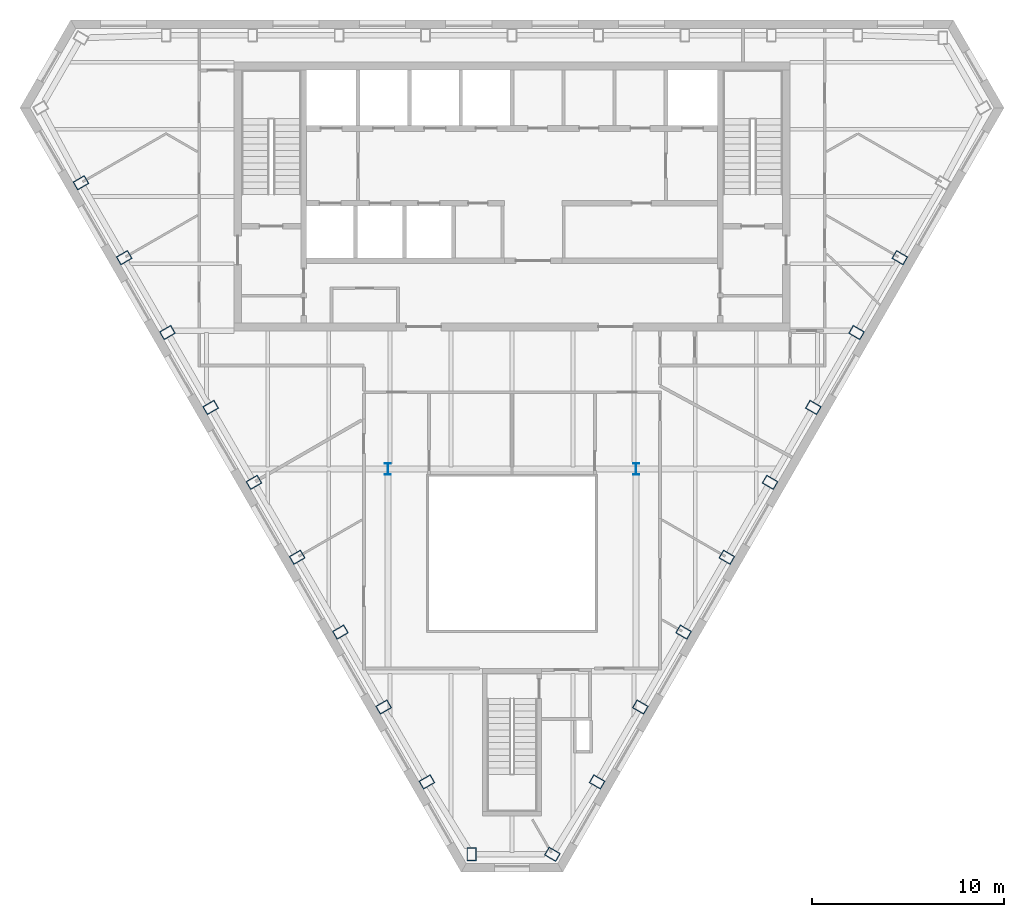
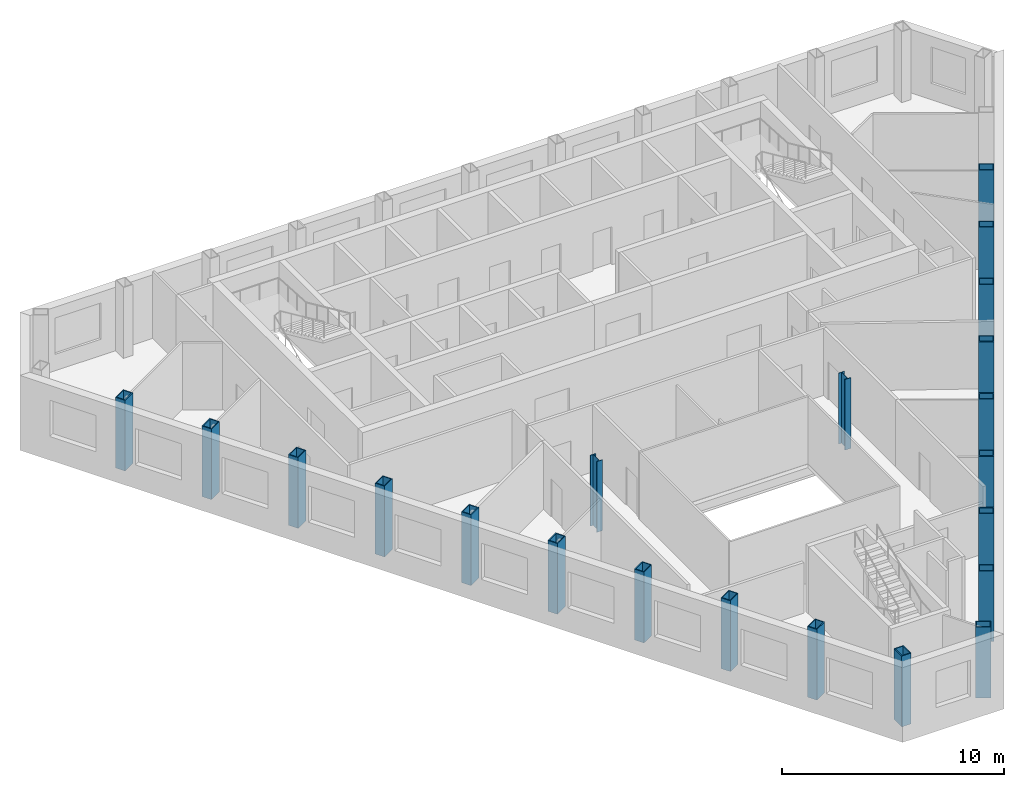
# One storey, part 1 of 10: 21 columns.
"""IFC4 building model written with IfcOpenShell, lengths in metres."""

from ifc_helpers import new_model, si_unit, direction, frame, origin, origin_2d, place, context, subcontext, project, spatial, hollow_rectangle, i_section, extrude, material, material_profile, profile_set, type_object, element, save


model = new_model("IFC4")

# Units and contexts
model_context = context("Model", 3, precision=1e-05, world=origin(), true_north=direction((0.0, 1.0)))
body_context = subcontext(model_context, "Body", "Model", "MODEL_VIEW")
ifc_project = project(units=[si_unit("LENGTHUNIT", "METRE"), si_unit("AREAUNIT", "SQUARE_METRE"), si_unit("VOLUMEUNIT", "CUBIC_METRE"), si_unit("PLANEANGLEUNIT", "RADIAN"), si_unit("MASSUNIT", "GRAM", prefix="KILO")], contexts=[model_context])

# Site, building, storey
site_placement = place(None, origin())
site = spatial("IfcSite", under=ifc_project, at=site_placement, CompositionType="ELEMENT")
building_placement = place(site_placement, origin())
building = spatial("IfcBuilding", under=site, at=building_placement, Name="Njiva Tower", CompositionType="ELEMENT")
storey_placement = place(building_placement, frame((0.0, 0.0, 288.3)))
storey = spatial("IfcBuildingStorey", under=building, at=storey_placement, Name="L66", CompositionType="ELEMENT", Elevation=288.3)

# Columns
ifc_material = material(Name="Steel S355 J2", Category="steel")
ifc_material_profile_1 = material_profile(ifc_material, hollow_rectangle(XDim=0.5, YDim=0.7, WallThickness=0.045, at=origin_2d()), Name="BOX 700x500x45")
ifc_profile_set_1 = profile_set([ifc_material_profile_1], Name="Steel S355 J2")
column_type_1 = type_object("IfcColumnType", Name="C13 Perimeter tube column BOX 700x500x45", PredefinedType="COLUMN", material=ifc_profile_set_1)
for number, where, z_axis, x_axis, name in (
    (1, (-22.467, 11.715, 0.0), (0.0, 0.0, 1.0), (0.5, -0.866025403784, 0.0), "Perimeter tube column S21-C13"),
    (2, (-20.214, 7.811, 0.0), (0.0, 0.0, 1.0), (0.5, -0.866025403784, 0.0), "Perimeter tube column S21-C14"),
    (3, (-17.96, 3.908, 0.0), (0.0, 0.0, 1.0), (0.5, -0.866025403784, 0.0), "Perimeter tube column S21-C15"),
    (4, (-15.706, 0.004, 0.0), (0.0, 0.0, 1.0), (0.5, -0.866025403784, 0.0), "Perimeter tube column S21-C16"),
    (5, (-13.452, -3.9, 0.0), (0.0, 0.0, 1.0), (0.5, -0.866025403784, 0.0), "Perimeter tube column S21-C17"),
    (6, (-11.198, -7.804, 0.0), (0.0, 0.0, 1.0), (0.5, -0.866025403784, 0.0), "Perimeter tube column S21-C18"),
    (7, (-8.945, -11.707, 0.0), (0.0, 0.0, 1.0), (0.5, -0.866025403784, 0.0), "Perimeter tube column S21-C19"),
    (8, (-6.691, -15.611, 0.0), (0.0, 0.0, 1.0), (0.5, -0.866025403784, 0.0), "Perimeter tube column S21-C20"),
    (9, (-4.437, -19.515, 0.0), (0.0, 0.0, 1.0), (0.5, -0.866025403784, 0.0), "Perimeter tube column S21-C21"),
    (10, (-2.106, -23.285, 0.0), (0.0, 0.0, 1.0), (1.0, 0.0, 0.0), "Perimeter tube column S21-C22"),
    (11, (2.106, -23.285, 0.0), (0.0, 0.0, 1.0), (0.5, 0.866025403784, 0.0), "Perimeter tube column S21-C23"),
    (12, (4.437, -19.515, 0.0), (0.0, 0.0, 1.0), (0.5, 0.866025403784, 0.0), "Perimeter tube column S21-C24"),
    (13, (6.691, -15.611, 0.0), (0.0, 0.0, 1.0), (0.5, 0.866025403784, 0.0), "Perimeter tube column S21-C25"),
    (14, (8.945, -11.707, 0.0), (0.0, 0.0, 1.0), (0.5, 0.866025403784, 0.0), "Perimeter tube column S21-C26"),
    (15, (11.198, -7.804, 0.0), (0.0, 0.0, 1.0), (0.5, 0.866025403784, 0.0), "Perimeter tube column S21-C27"),
    (16, (13.452, -3.9, 0.0), (0.0, 0.0, 1.0), (0.5, 0.866025403784, 0.0), "Perimeter tube column S21-C28"),
    (17, (15.706, 0.004, 0.0), (0.0, 0.0, 1.0), (0.5, 0.866025403784, 0.0), "Perimeter tube column S21-C29"),
    (18, (17.96, 3.908, 0.0), (0.0, 0.0, 1.0), (0.5, 0.866025403784, 0.0), "Perimeter tube column S21-C30"),
    (19, (20.214, 7.811, 0.0), (0.0, 0.0, 1.0), (0.5, 0.866025403784, 0.0), "Perimeter tube column S21-C31"),
):
    element("IfcColumn", number, at=place(storey_placement, frame(where, z_axis=z_axis, x_axis=x_axis)), inside=storey, type_object=column_type_1, Name=name, PredefinedType="COLUMN", context=body_context, shape_type="SweptSolid", body=[
        extrude(hollow_rectangle(XDim=0.5, YDim=0.7, WallThickness=0.045, at=origin_2d()), origin(), (0.0, 0.0, 1.0), 3.9),
    ])
ifc_material_profile_2 = material_profile(ifc_material, i_section(OverallWidth=0.3, OverallDepth=0.6, WebThickness=0.0155, FlangeThickness=0.03, at=origin_2d()), Name="HEB 600")
ifc_profile_set_2 = profile_set([ifc_material_profile_2], Name="Steel S355 J2")
column_type_2 = type_object("IfcColumnType", Name="C14 Interior column HEB 600", PredefinedType="COLUMN", material=ifc_profile_set_2)
for number, where, z_axis, x_axis, name in (
    (20, (6.47, -3.2, 0.0), (0.0, 0.0, 1.0), (1.0, 0.0, 0.0), "Interior column S21-C34"),
    (21, (-6.47, -3.2, 0.0), (0.0, 0.0, 1.0), (1.0, 0.0, 0.0), "Interior column S21-C35"),
):
    element("IfcColumn", number, at=place(storey_placement, frame(where, z_axis=z_axis, x_axis=x_axis)), inside=storey, type_object=column_type_2, Name=name, PredefinedType="COLUMN", context=body_context, shape_type="SweptSolid", body=[
        extrude(i_section(OverallWidth=0.3, OverallDepth=0.6, WebThickness=0.0155, FlangeThickness=0.03, at=origin_2d()), origin(), (0.0, 0.0, 1.0), 3.9),
    ])

save(model, "model.ifc")
